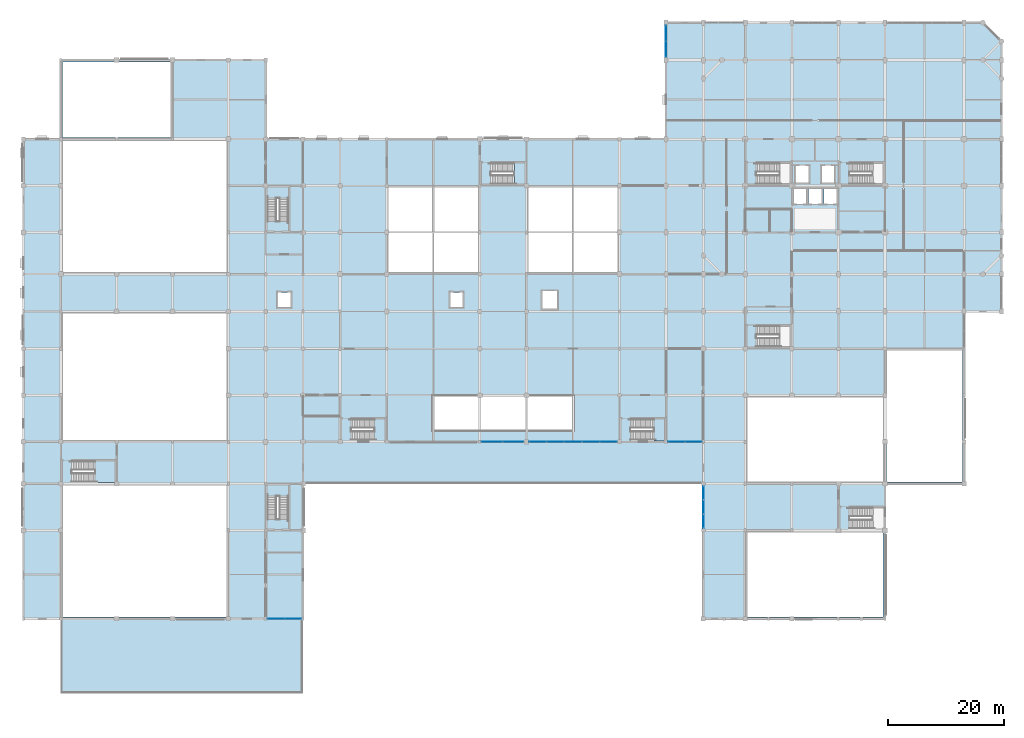
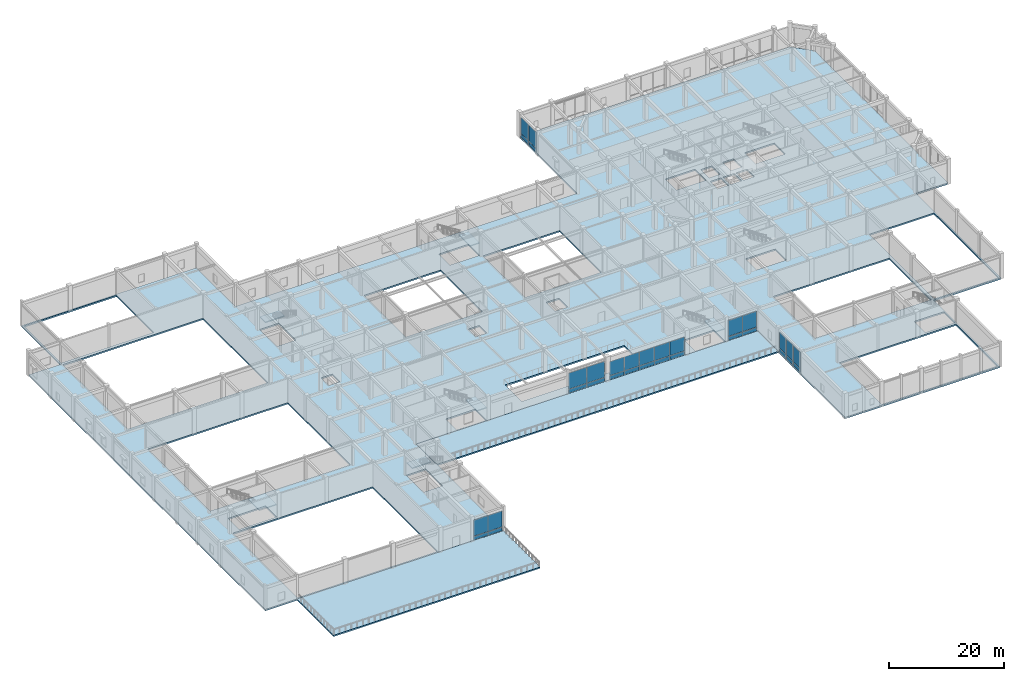
# One storey, part 19 of 36: 32 plates, 9 slabs, 12 elements without a shape of their own.
"""IFC4 building model written with IfcOpenShell, lengths in metres."""

import ifcopenshell
import ifcopenshell.guid

model = None  # the IFC model being written
_history = None  # IfcOwnerHistory: only IFC2X3 demands one
_inside = {}  # id of a spatial element -> (the spatial element, [elements in it])
_under = {}  # id of a project, library or spatial element -> (it, [spatial elements below it])
_declared = {}  # id of a project -> (the project, [libraries it declares])
_typed = {}  # id of a type object -> (the type object, [elements of that type])
_made_of = {}  # id of a material, layer set ... -> (it, [elements and type objects made of it])


def new_model(schema):
    """Start an empty IFC model of exactly this schema.

    Asked for "IFC4X3", IfcOpenShell would pick the latest addendum, in which some entities
    have other attributes; the version numbers below select the first issue.
    IFC2X3 requires an IfcOwnerHistory on every rooted entity: one is made here for all.
    """
    global model, _history
    if schema == "IFC4X3":
        model = ifcopenshell.file(schema_version=(4, 3, 0, 0))
    else:
        model = ifcopenshell.file(schema=schema)
    _inside.clear()
    _under.clear()
    _declared.clear()
    _typed.clear()
    _made_of.clear()
    _history = None
    if model.schema == "IFC2X3":
        org = make("IfcOrganization", Name="unknown")
        user = make(
            "IfcPersonAndOrganization",
            ThePerson=make("IfcPerson", FamilyName="unknown"),
            TheOrganization=org,
        )
        app = make(
            "IfcApplication",
            ApplicationDeveloper=org,
            Version="unknown",
            ApplicationFullName="unknown",
            ApplicationIdentifier="unknown",
        )
        _history = make(
            "IfcOwnerHistory",
            OwningUser=user,
            OwningApplication=app,
            ChangeAction="ADDED",
            CreationDate=0,
        )
    return model


def make(cls, **values):
    """One entity of the class cls with the attributes given. An attribute that is None is left unset."""
    return model.create_entity(
        cls, **{name: value for name, value in values.items() if value is not None}
    )


def rooted(cls, **values):
    """An entity with a GlobalId (a new one), such as an element, a storey or a relation."""
    return make(cls, GlobalId=ifcopenshell.guid.new(), OwnerHistory=_history, **values)


def si_unit(unit_type, name, prefix=None):
    """IfcSIUnit, for example si_unit("LENGTHUNIT", "METRE", prefix="MILLI")."""
    return make("IfcSIUnit", UnitType=unit_type, Prefix=prefix, Name=name)


def assignment(units):
    """IfcUnitAssignment: the units of a project."""
    return None if units is None else make("IfcUnitAssignment", Units=units)


def point(xyz):
    """IfcCartesianPoint."""
    return None if xyz is None else make("IfcCartesianPoint", Coordinates=xyz)


def direction(xyz):
    """IfcDirection."""
    return None if xyz is None else make("IfcDirection", DirectionRatios=xyz)


def frame(location, z_axis=None, x_axis=None):
    """IfcAxis2Placement3D, a coordinate frame: its origin and axes. An axis left out is left unset."""
    return make(
        "IfcAxis2Placement3D",
        Location=point(location),
        Axis=direction(z_axis),
        RefDirection=direction(x_axis),
    )


def frame_2d(location, x_axis=None):
    """IfcAxis2Placement2D, a coordinate frame in the plane: its origin and x axis."""
    return make(
        "IfcAxis2Placement2D", Location=point(location), RefDirection=direction(x_axis)
    )


def origin():
    """The frame at (0, 0, 0) with its axes left unset."""
    return frame((0.0, 0.0, 0.0))


def origin_2d():
    """The frame at (0, 0) in the plane with its x axis left unset."""
    return frame_2d((0.0, 0.0))


def place(relative_to, where):
    """IfcLocalPlacement: puts the frame where relative to a parent placement (None: the world)."""
    return make(
        "IfcLocalPlacement", PlacementRelTo=relative_to, RelativePlacement=where
    )


def context(
    kind, dimensions, precision=None, world=None, true_north=None, identifier=None
):
    """IfcGeometricRepresentationContext, for example the 3D "Model" context."""
    return make(
        "IfcGeometricRepresentationContext",
        ContextIdentifier=identifier,
        ContextType=kind,
        CoordinateSpaceDimension=dimensions,
        Precision=precision,
        WorldCoordinateSystem=world,
        TrueNorth=true_north,
    )


def subcontext(parent, identifier, kind, view, scale=None):
    """IfcGeometricRepresentationSubContext, for example "Body" below "Model"."""
    return make(
        "IfcGeometricRepresentationSubContext",
        ContextIdentifier=identifier,
        ContextType=kind,
        ParentContext=parent,
        TargetScale=scale,
        TargetView=view,
    )


def project(units=None, contexts=None):
    """IfcProject with its units and contexts."""
    return rooted(
        "IfcProject",
        Name="project",
        RepresentationContexts=contexts,
        UnitsInContext=assignment(units),
    )


def spatial(cls, under=None, at=None, **own):
    """A site, building, storey or space (cls), placed at a placement, below another one or the project."""
    s = rooted(cls, ObjectPlacement=at, **own)
    if under is not None:
        _under.setdefault(under.id(), (under, []))[1].append(s)
    return s


def polyline(points):
    """IfcPolyline through the points."""
    return make("IfcPolyline", Points=[point(p) for p in points])


def profile(cls, at=None, kind="AREA", **sizes):
    """A parametric profile (cls). Its sizes go by their IFC names, for example OverallWidth=200.0."""
    return make(cls, ProfileType=kind, Position=at, **sizes)


def rectangle(**sizes):
    """IfcRectangleProfileDef."""
    return profile("IfcRectangleProfileDef", **sizes)


def outline(outer, holes=None, kind="AREA"):
    """IfcArbitraryClosedProfileDef: a profile drawn as a closed curve; with holes, ...WithVoids."""
    if holes is None:
        return make("IfcArbitraryClosedProfileDef", ProfileType=kind, OuterCurve=outer)
    return make(
        "IfcArbitraryProfileDefWithVoids",
        ProfileType=kind,
        OuterCurve=outer,
        InnerCurves=holes,
    )


def extrude(swept, where, along, depth):
    """IfcExtrudedAreaSolid: the profile swept, set in the frame where, extruded along a direction by depth."""
    return make(
        "IfcExtrudedAreaSolid",
        SweptArea=swept,
        Position=where,
        ExtrudedDirection=direction(along),
        Depth=depth,
    )


def shape(context_of_items, identifier, shape_type, items):
    """IfcShapeRepresentation: the items that make up one representation, for example the "Body"."""
    return make(
        "IfcShapeRepresentation",
        ContextOfItems=context_of_items,
        RepresentationIdentifier=identifier,
        RepresentationType=shape_type,
        Items=items,
    )


def material(Name=None, Category=None):
    """IfcMaterial."""
    return make("IfcMaterial", Name=Name, Category=Category)


def layer(
    of_material, thickness, ventilated=None, Name=None, Category=None, Priority=None
):
    """IfcMaterialLayer: one layer of a wall or slab, of a material (None: an air gap)."""
    return make(
        "IfcMaterialLayer",
        Material=of_material,
        LayerThickness=thickness,
        IsVentilated=ventilated,
        Name=Name,
        Category=Category,
        Priority=Priority,
    )


def layer_set(layers, Name=None):
    """IfcMaterialLayerSet."""
    return make("IfcMaterialLayerSet", MaterialLayers=layers, LayerSetName=Name)


def made_of(thing, what):
    """Note that an element or type object is made of a material, layer set ...; save() writes the relation."""
    if what is not None:
        _made_of.setdefault(what.id(), (what, []))[1].append(thing)
    return thing


def type_object(cls, material=None, **own):
    """A type object (cls), such as IfcWallType, which elements share."""
    return made_of(rooted(cls, **own), material)


def element(
    cls,
    number,
    at=None,
    inside=None,
    cuts=None,
    type_object=None,
    material=None,
    context=None,
    identifier="Body",
    shape_type=None,
    held_by="IfcProductDefinitionShape",
    body=None,
    shapes=None,
    **own,
):
    """One element of the class cls, such as IfcWall. Its Tag is "e" and its number.

    at: its placement. inside: the storey or other place that contains it. cuts: it is an
    opening in that element (IfcRelVoidsElement). A single representation is given by context,
    identifier, shape_type and body (its items); several are given by shapes. held_by: the class
    of the entity that holds the representations. save() writes the other relations.
    """
    e = rooted(cls, Tag="e%d" % number, ObjectPlacement=at, **own)
    if body is not None:
        shapes = [shape(context, identifier, shape_type, body)]
    if shapes is not None:
        e.Representation = make(held_by, Representations=shapes)
    if inside is not None:
        _inside.setdefault(inside.id(), (inside, []))[1].append(e)
    if cuts is not None:
        rooted(
            "IfcRelVoidsElement", RelatingBuildingElement=cuts, RelatedOpeningElement=e
        )
    if type_object is not None:
        _typed.setdefault(type_object.id(), (type_object, []))[1].append(e)
    return made_of(e, material)


def aggregate(whole, parts):
    """IfcRelAggregates: a whole, such as a stair, and the parts it consists of."""
    return rooted("IfcRelAggregates", RelatingObject=whole, RelatedObjects=parts)


def save(model, path):
    """Write the relations noted so far, then the file.

    IfcRelAggregates (storeys below a building ...), IfcRelContainedInSpatialStructure (elements
    in a storey), IfcRelDefinesByType, IfcRelAssociatesMaterial and IfcRelDeclares: one each for
    every whole, place, type object, material and project.
    """
    for whole, parts in _under.values():
        aggregate(whole, parts)
    for where, things in _inside.values():
        rooted(
            "IfcRelContainedInSpatialStructure",
            RelatedElements=things,
            RelatingStructure=where,
        )
    for kind, things in _typed.values():
        rooted("IfcRelDefinesByType", RelatedObjects=things, RelatingType=kind)
    for what, things in _made_of.values():
        rooted("IfcRelAssociatesMaterial", RelatedObjects=things, RelatingMaterial=what)
    for by, libraries in _declared.values():
        rooted("IfcRelDeclares", RelatingContext=by, RelatedDefinitions=libraries)
    model.write(path)


model = new_model("IFC4")

# Units and contexts
model_context = context("Model", 3, precision=1e-05, world=origin(), true_north=direction((0.0, 1.0)))
body_context = subcontext(model_context, "Body", "Model", "MODEL_VIEW")
ifc_project = project(units=[si_unit("LENGTHUNIT", "METRE"), si_unit("AREAUNIT", "SQUARE_METRE"), si_unit("VOLUMEUNIT", "CUBIC_METRE"), si_unit("PLANEANGLEUNIT", "RADIAN"), si_unit("MASSUNIT", "GRAM", prefix="KILO")], contexts=[model_context])

# Site, building, storey
site_placement = place(None, origin())
site = spatial("IfcSite", under=ifc_project, at=site_placement, CompositionType="ELEMENT")
building_placement = place(site_placement, origin())
building = spatial("IfcBuilding", under=site, at=building_placement, Name="Vellmiral Cinema and Media Centre", CompositionType="ELEMENT")
storey_placement = place(building_placement, frame((0.0, 0.0, 5.39990234375)))
storey = spatial("IfcBuildingStorey", under=building, at=storey_placement, Name="L01", CompositionType="ELEMENT", Elevation=5.39990234375)

# Curtain wall, plates
ifc_material_1 = material(Name="Thermally Broken Aluminium and Triple Glazing", Category="aluminium")
curtain_wall_type_1 = type_object("IfcCurtainWallType", Name="CW-LIB-BAY", PredefinedType="USERDEFINED", material=ifc_material_1)
curtain_wall_1_placement = place(storey_placement, origin())
curtain_wall_1 = element("IfcCurtainWall", 1, at=curtain_wall_1_placement, inside=storey, type_object=curtain_wall_type_1, Name="Curtain Wall L01-B052", ObjectType="STICK CURTAIN WALL", PredefinedType="USERDEFINED")
ifc_material_2 = material(Name="Laminated Studio Acoustic Glazing", Category="glass")
ifc_layer_1 = layer(ifc_material_2, 0.0439453125, Name="Laminated Studio Acoustic Glazing")
ifc_layer_set_1 = layer_set([ifc_layer_1], Name="Laminated Studio Acoustic Glazing")
plate_type_1 = type_object("IfcPlateType", Name="CWP-ACOUST-44", PredefinedType="CURTAIN_PANEL", material=ifc_layer_set_1)
plate_1_placement = place(storey_placement, frame((110.39990234375, 113.344970703125, 0.93505859375), z_axis=(0.0, 0.0, 1.0), x_axis=(0.0, -1.0, 0.0)))
plate_1 = element("IfcPlate", 2, at=plate_1_placement, type_object=plate_type_1, Name="CW-03 panel 1.2", PredefinedType="CURTAIN_PANEL", context=body_context, shape_type="SweptSolid", body=[
    extrude(rectangle(XDim=2.6201171875, YDim=0.0439453125, at=origin_2d()), origin(), (0.0, 0.0, 1.0), 3.419921875),
])
plate_2_placement = place(storey_placement, frame((110.39990234375, 110.655029296875, 0.93505859375), z_axis=(0.0, 0.0, 1.0), x_axis=(0.0, -1.0, 0.0)))
plate_2 = element("IfcPlate", 3, at=plate_2_placement, type_object=plate_type_1, Name="CW-03 panel 2.2", PredefinedType="CURTAIN_PANEL", context=body_context, shape_type="SweptSolid", body=[
    extrude(rectangle(XDim=2.6201171875, YDim=0.0439453125, at=origin_2d()), origin(), (0.0, 0.0, 1.0), 3.419921875),
])
ifc_material_3 = material(Name="Honed Vosges Sandstone Spandrel Panel", Category="masonry")
ifc_layer_2 = layer(ifc_material_3, 0.06005859375, Name="Honed Vosges Sandstone Spandrel Panel")
ifc_layer_set_2 = layer_set([ifc_layer_2], Name="Honed Vosges Sandstone Spandrel Panel")
plate_type_2 = type_object("IfcPlateType", Name="CWP-SAND-60", PredefinedType="CURTAIN_PANEL", material=ifc_layer_set_2)
plate_3_placement = place(storey_placement, frame((110.39990234375, 113.344970703125, 0.070068359375), z_axis=(0.0, 0.0, 1.0), x_axis=(0.0, -1.0, 0.0)))
plate_3 = element("IfcPlate", 4, at=plate_3_placement, type_object=plate_type_2, Name="CW-03 panel 1.1", PredefinedType="CURTAIN_PANEL", context=body_context, shape_type="SweptSolid", body=[
    extrude(rectangle(XDim=2.6201171875, YDim=0.06005859375, at=origin_2d()), origin(), (0.0, 0.0, 1.0), 0.794921875),
])
plate_4_placement = place(storey_placement, frame((110.39990234375, 110.655029296875, 0.070068359375), z_axis=(0.0, 0.0, 1.0), x_axis=(0.0, -1.0, 0.0)))
plate_4 = element("IfcPlate", 5, at=plate_4_placement, type_object=plate_type_2, Name="CW-03 panel 2.1", PredefinedType="CURTAIN_PANEL", context=body_context, shape_type="SweptSolid", body=[
    extrude(rectangle(XDim=2.6201171875, YDim=0.06005859375, at=origin_2d()), origin(), (0.0, 0.0, 1.0), 0.794921875),
])
aggregate(curtain_wall_1, [plate_3, plate_1, plate_4, plate_2])

ifc_material_4 = material(Name="Thermally Broken Aluminium and Triple Glazing", Category="aluminium")
curtain_wall_type_2 = type_object("IfcCurtainWallType", Name="CW-POD-GALLERY", PredefinedType="USERDEFINED", material=ifc_material_4)
curtain_wall_2_placement = place(storey_placement, origin())
curtain_wall_2 = element("IfcCurtainWall", 6, at=curtain_wall_2_placement, inside=storey, type_object=curtain_wall_type_2, Name="Curtain Wall L01-B006", ObjectType="STICK CURTAIN WALL", PredefinedType="USERDEFINED")
ifc_material_5 = material(Name="Polychrome Trencadis Ceramic Spandrel Panel", Category="ceramic")
ifc_layer_3 = layer(ifc_material_5, 0.052001953125, Name="Polychrome Trencadis Ceramic Spandrel Panel")
ifc_layer_set_3 = layer_set([ifc_layer_3], Name="Polychrome Trencadis Ceramic Spandrel Panel")
plate_type_3 = type_object("IfcPlateType", Name="CWP-TRENC-52", PredefinedType="CURTAIN_PANEL", material=ifc_layer_set_3)
plate_5_placement = place(storey_placement, frame((43.4111328125, 12.800048828125, 0.070068359375), z_axis=(0.0, 0.0, 1.0), x_axis=(1.0, 0.0, 0.0)))
plate_5 = element("IfcPlate", 7, at=plate_5_placement, type_object=plate_type_3, Name="CW-04 panel 1.1", PredefinedType="CURTAIN_PANEL", context=body_context, shape_type="SweptSolid", body=[
    extrude(rectangle(XDim=2.83251953125, YDim=0.052001953125, at=origin_2d()), origin(), (0.0, 0.0, 1.0), 0.794921875),
])
plate_6_placement = place(storey_placement, frame((46.313720703125, 12.800048828125, 0.070068359375), z_axis=(0.0, 0.0, 1.0), x_axis=(1.0, 0.0, 0.0)))
plate_6 = element("IfcPlate", 8, at=plate_6_placement, type_object=plate_type_3, Name="CW-04 panel 2.1", PredefinedType="CURTAIN_PANEL", context=body_context, shape_type="SweptSolid", body=[
    extrude(rectangle(XDim=2.83251953125, YDim=0.052001953125, at=origin_2d()), origin(), (0.0, 0.0, 1.0), 0.794921875),
])

ifc_material_6 = material(Name="Thermally Broken Aluminium and Triple Glazing", Category="aluminium")
curtain_wall_type_3 = type_object("IfcCurtainWallType", Name="CW-FOYER-PROM", PredefinedType="USERDEFINED", material=ifc_material_6)
curtain_wall_3_placement = place(storey_placement, origin())
curtain_wall_3 = element("IfcCurtainWall", 9, at=curtain_wall_3_placement, inside=storey, type_object=curtain_wall_type_3, Name="Curtain Wall L01-B013", ObjectType="STICK CURTAIN WALL", PredefinedType="USERDEFINED")
plate_7_placement = place(storey_placement, frame((80.4638671875, 43.199951171875, 0.080078125), z_axis=(0.0, 0.0, 1.0), x_axis=(1.0, 0.0, 0.0)))
plate_7 = element("IfcPlate", 10, at=plate_7_placement, type_object=plate_type_3, Name="CW-02 panel 1.1", PredefinedType="CURTAIN_PANEL", context=body_context, shape_type="SweptSolid", body=[
    extrude(rectangle(XDim=3.5673828125, YDim=0.052001953125, at=origin_2d()), origin(), (0.0, 0.0, 1.0), 0.780029296875),
])
plate_8_placement = place(storey_placement, frame((84.111328125, 43.199951171875, 0.080078125), z_axis=(0.0, 0.0, 1.0), x_axis=(1.0, 0.0, 0.0)))
plate_8 = element("IfcPlate", 11, at=plate_8_placement, type_object=plate_type_3, Name="CW-02 panel 2.1", PredefinedType="CURTAIN_PANEL", context=body_context, shape_type="SweptSolid", body=[
    extrude(rectangle(XDim=3.5673828125, YDim=0.052001953125, at=origin_2d()), origin(), (0.0, 0.0, 1.0), 0.780029296875),
])

ifc_material_7 = material(Name="Thermally Broken Aluminium and Triple Glazing", Category="aluminium")
curtain_wall_type_4 = type_object("IfcCurtainWallType", Name="CW-FOYER-ARCH", PredefinedType="USERDEFINED", material=ifc_material_7)
curtain_wall_4_placement = place(storey_placement, origin())
curtain_wall_4 = element("IfcCurtainWall", 12, at=curtain_wall_4_placement, inside=storey, type_object=curtain_wall_type_4, Name="Curtain Wall L01-B014", ObjectType="STICK CURTAIN WALL", PredefinedType="USERDEFINED")
plate_9_placement = place(storey_placement, frame((88.364990234375, 43.199951171875, 0.080078125), z_axis=(0.0, 0.0, 1.0), x_axis=(1.0, 0.0, 0.0)))
plate_9 = element("IfcPlate", 13, at=plate_9_placement, type_object=plate_type_3, Name="CW-01 panel 1.1", PredefinedType="CURTAIN_PANEL", context=body_context, shape_type="SweptSolid", body=[
    extrude(rectangle(XDim=2.919921875, YDim=0.052001953125, at=origin_2d()), origin(), (0.0, 0.0, 1.0), 0.780029296875),
])
plate_10_placement = place(storey_placement, frame((91.385009765625, 43.199951171875, 0.080078125), z_axis=(0.0, 0.0, 1.0), x_axis=(1.0, 0.0, 0.0)))
plate_10 = element("IfcPlate", 14, at=plate_10_placement, type_object=plate_type_3, Name="CW-01 panel 2.1", PredefinedType="CURTAIN_PANEL", context=body_context, shape_type="SweptSolid", body=[
    extrude(rectangle(XDim=2.9599609375, YDim=0.052001953125, at=origin_2d()), origin(), (0.0, 0.0, 1.0), 0.780029296875),
])
plate_11_placement = place(storey_placement, frame((94.425048828125, 43.199951171875, 0.080078125), z_axis=(0.0, 0.0, 1.0), x_axis=(1.0, 0.0, 0.0)))
plate_11 = element("IfcPlate", 15, at=plate_11_placement, type_object=plate_type_3, Name="CW-01 panel 3.1", PredefinedType="CURTAIN_PANEL", context=body_context, shape_type="SweptSolid", body=[
    extrude(rectangle(XDim=2.9599609375, YDim=0.052001953125, at=origin_2d()), origin(), (0.0, 0.0, 1.0), 0.780029296875),
])
plate_12_placement = place(storey_placement, frame((97.465087890625, 43.199951171875, 0.080078125), z_axis=(0.0, 0.0, 1.0), x_axis=(1.0, 0.0, 0.0)))
plate_12 = element("IfcPlate", 16, at=plate_12_placement, type_object=plate_type_3, Name="CW-01 panel 4.1", PredefinedType="CURTAIN_PANEL", context=body_context, shape_type="SweptSolid", body=[
    extrude(rectangle(XDim=2.9599609375, YDim=0.052001953125, at=origin_2d()), origin(), (0.0, 0.0, 1.0), 0.780029296875),
])
plate_13_placement = place(storey_placement, frame((100.485107421875, 43.199951171875, 0.080078125), z_axis=(0.0, 0.0, 1.0), x_axis=(1.0, 0.0, 0.0)))
plate_13 = element("IfcPlate", 17, at=plate_13_placement, type_object=plate_type_3, Name="CW-01 panel 5.1", PredefinedType="CURTAIN_PANEL", context=body_context, shape_type="SweptSolid", body=[
    extrude(rectangle(XDim=2.919921875, YDim=0.052001953125, at=origin_2d()), origin(), (0.0, 0.0, 1.0), 0.780029296875),
])

curtain_wall_5_placement = place(storey_placement, origin())
curtain_wall_5 = element("IfcCurtainWall", 18, at=curtain_wall_5_placement, inside=storey, type_object=curtain_wall_type_2, Name="Curtain Wall L01-B016", ObjectType="STICK CURTAIN WALL", PredefinedType="USERDEFINED")
plate_14_placement = place(storey_placement, frame((112.211181640625, 43.199951171875, 0.070068359375), z_axis=(0.0, 0.0, 1.0), x_axis=(1.0, 0.0, 0.0)))
plate_14 = element("IfcPlate", 19, at=plate_14_placement, type_object=plate_type_3, Name="CW-04 panel 1.1", PredefinedType="CURTAIN_PANEL", context=body_context, shape_type="SweptSolid", body=[
    extrude(rectangle(XDim=2.83251953125, YDim=0.052001953125, at=origin_2d()), origin(), (0.0, 0.0, 1.0), 0.794921875),
])
plate_15_placement = place(storey_placement, frame((115.11376953125, 43.199951171875, 0.070068359375), z_axis=(0.0, 0.0, 1.0), x_axis=(1.0, 0.0, 0.0)))
plate_15 = element("IfcPlate", 20, at=plate_15_placement, type_object=plate_type_3, Name="CW-04 panel 2.1", PredefinedType="CURTAIN_PANEL", context=body_context, shape_type="SweptSolid", body=[
    extrude(rectangle(XDim=2.83251953125, YDim=0.052001953125, at=origin_2d()), origin(), (0.0, 0.0, 1.0), 0.794921875),
])

curtain_wall_6_placement = place(storey_placement, origin())
curtain_wall_6 = element("IfcCurtainWall", 21, at=curtain_wall_6_placement, inside=storey, type_object=curtain_wall_type_2, Name="Curtain Wall L01-B018", ObjectType="STICK CURTAIN WALL", PredefinedType="USERDEFINED")
plate_16_placement = place(storey_placement, frame((116.800048828125, 34.4326171875, 0.070068359375), z_axis=(0.0, 0.0, 1.0), x_axis=(0.0, -1.0, 0.0)))
plate_16 = element("IfcPlate", 22, at=plate_16_placement, type_object=plate_type_3, Name="CW-04 panel 1.1", PredefinedType="CURTAIN_PANEL", context=body_context, shape_type="SweptSolid", body=[
    extrude(rectangle(XDim=2.344970703125, YDim=0.052001953125, at=origin_2d()), origin(), (0.0, 0.0, 1.0), 0.794921875),
])
plate_17_placement = place(storey_placement, frame((116.800048828125, 32.0, 0.070068359375), z_axis=(0.0, 0.0, 1.0), x_axis=(0.0, -1.0, 0.0)))
plate_17 = element("IfcPlate", 23, at=plate_17_placement, type_object=plate_type_3, Name="CW-04 panel 2.1", PredefinedType="CURTAIN_PANEL", context=body_context, shape_type="SweptSolid", body=[
    extrude(rectangle(XDim=2.3798828125, YDim=0.052001953125, at=origin_2d()), origin(), (0.0, 0.0, 1.0), 0.794921875),
])
plate_18_placement = place(storey_placement, frame((116.800048828125, 29.5673828125, 0.070068359375), z_axis=(0.0, 0.0, 1.0), x_axis=(0.0, -1.0, 0.0)))
plate_18 = element("IfcPlate", 24, at=plate_18_placement, type_object=plate_type_3, Name="CW-04 panel 3.1", PredefinedType="CURTAIN_PANEL", context=body_context, shape_type="SweptSolid", body=[
    extrude(rectangle(XDim=2.344970703125, YDim=0.052001953125, at=origin_2d()), origin(), (0.0, 0.0, 1.0), 0.794921875),
])

# Plate
ifc_material_8 = material(Name="Triple Low-E Vision Glazing", Category="glass")
ifc_layer_4 = layer(ifc_material_8, 0.0380859375, Name="Triple Low-E Vision Glazing")
ifc_layer_set_4 = layer_set([ifc_layer_4], Name="Triple Low-E Vision Glazing")
plate_type_4 = type_object("IfcPlateType", Name="CWP-VISION-38", PredefinedType="CURTAIN_PANEL", material=ifc_layer_set_4)
plate_19_placement = place(storey_placement, frame((43.4111328125, 12.800048828125, 0.93505859375), z_axis=(0.0, 0.0, 1.0), x_axis=(1.0, 0.0, 0.0)))
plate_19 = element("IfcPlate", 25, at=plate_19_placement, type_object=plate_type_4, Name="CW-04 panel 1.2", PredefinedType="CURTAIN_PANEL", context=body_context, shape_type="SweptSolid", body=[
    extrude(rectangle(XDim=2.83251953125, YDim=0.0380859375, at=origin_2d()), origin(), (0.0, 0.0, 1.0), 3.43505859375),
])

plate_20_placement = place(storey_placement, frame((46.313720703125, 12.800048828125, 0.93505859375), z_axis=(0.0, 0.0, 1.0), x_axis=(1.0, 0.0, 0.0)))
plate_20 = element("IfcPlate", 26, at=plate_20_placement, type_object=plate_type_4, Name="CW-04 panel 2.2", PredefinedType="CURTAIN_PANEL", context=body_context, shape_type="SweptSolid", body=[
    extrude(rectangle(XDim=2.83251953125, YDim=0.0380859375, at=origin_2d()), origin(), (0.0, 0.0, 1.0), 3.43505859375),
])

aggregate(curtain_wall_2, [plate_5, plate_19, plate_6, plate_20])

plate_21_placement = place(storey_placement, frame((80.4638671875, 43.199951171875, 0.940185546875), z_axis=(0.0, 0.0, 1.0), x_axis=(1.0, 0.0, 0.0)))
plate_21 = element("IfcPlate", 27, at=plate_21_placement, type_object=plate_type_4, Name="CW-02 panel 1.2", PredefinedType="CURTAIN_PANEL", context=body_context, shape_type="SweptSolid", body=[
    extrude(rectangle(XDim=3.5673828125, YDim=0.0380859375, at=origin_2d()), origin(), (0.0, 0.0, 1.0), 3.419921875),
])

plate_22_placement = place(storey_placement, frame((84.111328125, 43.199951171875, 0.940185546875), z_axis=(0.0, 0.0, 1.0), x_axis=(1.0, 0.0, 0.0)))
plate_22 = element("IfcPlate", 28, at=plate_22_placement, type_object=plate_type_4, Name="CW-02 panel 2.2", PredefinedType="CURTAIN_PANEL", context=body_context, shape_type="SweptSolid", body=[
    extrude(rectangle(XDim=3.5673828125, YDim=0.0380859375, at=origin_2d()), origin(), (0.0, 0.0, 1.0), 3.419921875),
])

aggregate(curtain_wall_3, [plate_7, plate_21, plate_8, plate_22])

plate_23_placement = place(storey_placement, frame((88.364990234375, 43.199951171875, 0.93994140625), z_axis=(0.0, 0.0, 1.0), x_axis=(1.0, 0.0, 0.0)))
plate_23 = element("IfcPlate", 29, at=plate_23_placement, type_object=plate_type_4, Name="CW-01 panel 1.2", PredefinedType="CURTAIN_PANEL", context=body_context, shape_type="SweptSolid", body=[
    extrude(rectangle(XDim=2.919921875, YDim=0.0380859375, at=origin_2d()), origin(), (0.0, 0.0, 1.0), 2.955078125),
])

plate_24_placement = place(storey_placement, frame((91.385009765625, 43.199951171875, 0.93994140625), z_axis=(0.0, 0.0, 1.0), x_axis=(1.0, 0.0, 0.0)))
plate_24 = element("IfcPlate", 30, at=plate_24_placement, type_object=plate_type_4, Name="CW-01 panel 2.2", PredefinedType="CURTAIN_PANEL", context=body_context, shape_type="SweptSolid", body=[
    extrude(rectangle(XDim=2.9599609375, YDim=0.0380859375, at=origin_2d()), origin(), (0.0, 0.0, 1.0), 2.955078125),
])

plate_25_placement = place(storey_placement, frame((94.425048828125, 43.199951171875, 0.93994140625), z_axis=(0.0, 0.0, 1.0), x_axis=(1.0, 0.0, 0.0)))
plate_25 = element("IfcPlate", 31, at=plate_25_placement, type_object=plate_type_4, Name="CW-01 panel 3.2", PredefinedType="CURTAIN_PANEL", context=body_context, shape_type="SweptSolid", body=[
    extrude(rectangle(XDim=2.9599609375, YDim=0.0380859375, at=origin_2d()), origin(), (0.0, 0.0, 1.0), 2.955078125),
])

plate_26_placement = place(storey_placement, frame((97.465087890625, 43.199951171875, 0.93994140625), z_axis=(0.0, 0.0, 1.0), x_axis=(1.0, 0.0, 0.0)))
plate_26 = element("IfcPlate", 32, at=plate_26_placement, type_object=plate_type_4, Name="CW-01 panel 4.2", PredefinedType="CURTAIN_PANEL", context=body_context, shape_type="SweptSolid", body=[
    extrude(rectangle(XDim=2.9599609375, YDim=0.0380859375, at=origin_2d()), origin(), (0.0, 0.0, 1.0), 2.955078125),
])

plate_27_placement = place(storey_placement, frame((100.485107421875, 43.199951171875, 0.93994140625), z_axis=(0.0, 0.0, 1.0), x_axis=(1.0, 0.0, 0.0)))
plate_27 = element("IfcPlate", 33, at=plate_27_placement, type_object=plate_type_4, Name="CW-01 panel 5.2", PredefinedType="CURTAIN_PANEL", context=body_context, shape_type="SweptSolid", body=[
    extrude(rectangle(XDim=2.919921875, YDim=0.0380859375, at=origin_2d()), origin(), (0.0, 0.0, 1.0), 2.955078125),
])

aggregate(curtain_wall_4, [plate_9, plate_23, plate_10, plate_24, plate_11, plate_25, plate_12, plate_26, plate_13, plate_27])

plate_28_placement = place(storey_placement, frame((112.211181640625, 43.199951171875, 0.93505859375), z_axis=(0.0, 0.0, 1.0), x_axis=(1.0, 0.0, 0.0)))
plate_28 = element("IfcPlate", 34, at=plate_28_placement, type_object=plate_type_4, Name="CW-04 panel 1.2", PredefinedType="CURTAIN_PANEL", context=body_context, shape_type="SweptSolid", body=[
    extrude(rectangle(XDim=2.83251953125, YDim=0.0380859375, at=origin_2d()), origin(), (0.0, 0.0, 1.0), 3.43505859375),
])

plate_29_placement = place(storey_placement, frame((115.11376953125, 43.199951171875, 0.93505859375), z_axis=(0.0, 0.0, 1.0), x_axis=(1.0, 0.0, 0.0)))
plate_29 = element("IfcPlate", 35, at=plate_29_placement, type_object=plate_type_4, Name="CW-04 panel 2.2", PredefinedType="CURTAIN_PANEL", context=body_context, shape_type="SweptSolid", body=[
    extrude(rectangle(XDim=2.83251953125, YDim=0.0380859375, at=origin_2d()), origin(), (0.0, 0.0, 1.0), 3.43505859375),
])

aggregate(curtain_wall_5, [plate_14, plate_28, plate_15, plate_29])

plate_30_placement = place(storey_placement, frame((116.800048828125, 34.4326171875, 0.93505859375), z_axis=(0.0, 0.0, 1.0), x_axis=(0.0, -1.0, 0.0)))
plate_30 = element("IfcPlate", 36, at=plate_30_placement, type_object=plate_type_4, Name="CW-04 panel 1.2", PredefinedType="CURTAIN_PANEL", context=body_context, shape_type="SweptSolid", body=[
    extrude(rectangle(XDim=2.344970703125, YDim=0.0380859375, at=origin_2d()), origin(), (0.0, 0.0, 1.0), 3.43505859375),
])

plate_31_placement = place(storey_placement, frame((116.800048828125, 32.0, 0.93505859375), z_axis=(0.0, 0.0, 1.0), x_axis=(0.0, -1.0, 0.0)))
plate_31 = element("IfcPlate", 37, at=plate_31_placement, type_object=plate_type_4, Name="CW-04 panel 2.2", PredefinedType="CURTAIN_PANEL", context=body_context, shape_type="SweptSolid", body=[
    extrude(rectangle(XDim=2.3798828125, YDim=0.0380859375, at=origin_2d()), origin(), (0.0, 0.0, 1.0), 3.43505859375),
])

plate_32_placement = place(storey_placement, frame((116.800048828125, 29.5673828125, 0.93505859375), z_axis=(0.0, 0.0, 1.0), x_axis=(0.0, -1.0, 0.0)))
plate_32 = element("IfcPlate", 38, at=plate_32_placement, type_object=plate_type_4, Name="CW-04 panel 3.2", PredefinedType="CURTAIN_PANEL", context=body_context, shape_type="SweptSolid", body=[
    extrude(rectangle(XDim=2.344970703125, YDim=0.0380859375, at=origin_2d()), origin(), (0.0, 0.0, 1.0), 3.43505859375),
])

aggregate(curtain_wall_6, [plate_16, plate_30, plate_17, plate_31, plate_18, plate_32])

# Slab
ifc_material_9 = material(Name="Concrete C40/50", Category="concrete")
ifc_layer_5 = layer(ifc_material_9, 0.320068359375, Name="Concrete C40/50")
ifc_layer_set_5 = layer_set([ifc_layer_5], Name="Concrete C40/50")
slab_type_1 = type_object("IfcSlabType", Name="SLB-FLR-320", PredefinedType="FLOOR", material=ifc_layer_set_5)
slab_1_placement = place(storey_placement, frame((0.0, 0.0, -0.31982421875)))
element("IfcSlab", 39, at=slab_1_placement, inside=storey, type_object=slab_type_1, Name="L01 Structural Slab", PredefinedType="FLOOR", context=body_context, shape_type="SweptSolid", body=[
    extrude(outline(polyline([(0.0, 12.800048828125), (48.0, 12.800048828125), (48.0, 43.199951171875), (116.800048828125, 43.199951171875), (116.800048828125, 12.800048828125), (148.0, 12.800048828125), (148.0, 36.0), (161.60009765625, 36.0), (161.60009765625, 65.60009765625), (168.0, 65.60009765625), (168.0, 112.0), (164.800048828125, 115.199951171875), (110.39990234375, 115.199951171875), (110.39990234375, 95.199951171875), (41.60009765625, 95.199951171875), (41.60009765625, 108.800048828125), (6.39990234375, 108.800048828125), (6.39990234375, 95.199951171875), (0.0, 95.199951171875), (0.0, 12.800048828125)]), holes=[polyline([(41.780029296875, 29.85009765625), (45.6201171875, 29.85009765625), (45.6201171875, 35.820068359375), (41.780029296875, 35.820068359375), (41.780029296875, 29.85009765625)]), polyline([(41.780029296875, 81.050048828125), (45.6201171875, 81.050048828125), (45.6201171875, 87.02001953125), (41.780029296875, 87.02001953125), (41.780029296875, 81.050048828125)]), polyline([(56.25, 43.3798828125), (62.219970703125, 43.3798828125), (62.219970703125, 47.219970703125), (56.25, 47.219970703125), (56.25, 43.3798828125)]), polyline([(104.25, 43.3798828125), (110.219970703125, 43.3798828125), (110.219970703125, 47.219970703125), (104.25, 47.219970703125), (104.25, 43.3798828125)]), polyline([(80.25, 87.3798828125), (86.219970703125, 87.3798828125), (86.219970703125, 91.219970703125), (80.25, 91.219970703125), (80.25, 87.3798828125)]), polyline([(125.85009765625, 59.3798828125), (131.820068359375, 59.3798828125), (131.820068359375, 63.219970703125), (125.85009765625, 63.219970703125), (125.85009765625, 59.3798828125)]), polyline([(8.25, 36.179931640625), (15.820068359375, 36.179931640625), (15.820068359375, 40.02001953125), (8.25, 40.02001953125), (8.25, 36.179931640625)]), polyline([(141.85009765625, 28.179931640625), (147.820068359375, 28.179931640625), (147.820068359375, 32.02001953125), (141.85009765625, 32.02001953125), (141.85009765625, 28.179931640625)]), polyline([(125.85009765625, 87.3798828125), (131.820068359375, 87.3798828125), (131.820068359375, 91.219970703125), (125.85009765625, 91.219970703125), (125.85009765625, 87.3798828125)]), polyline([(141.85009765625, 87.3798828125), (147.820068359375, 87.3798828125), (147.820068359375, 91.219970703125), (141.85009765625, 91.219970703125), (141.85009765625, 87.3798828125)]), polyline([(132.699951171875, 87.75), (134.89990234375, 87.75), (134.89990234375, 90.64990234375), (132.699951171875, 90.64990234375), (132.699951171875, 87.75)]), polyline([(137.10009765625, 87.75), (139.300048828125, 87.75), (139.300048828125, 90.64990234375), (137.10009765625, 90.64990234375), (137.10009765625, 87.75)]), polyline([(132.300048828125, 84.10009765625), (134.5, 84.10009765625), (134.5, 86.699951171875), (132.300048828125, 86.699951171875), (132.300048828125, 84.10009765625)]), polyline([(134.89990234375, 84.10009765625), (137.10009765625, 84.10009765625), (137.10009765625, 86.699951171875), (134.89990234375, 86.699951171875), (134.89990234375, 84.10009765625)]), polyline([(137.5, 84.10009765625), (139.699951171875, 84.10009765625), (139.699951171875, 86.699951171875), (137.5, 86.699951171875), (137.5, 84.10009765625)]), polyline([(43.699951171875, 66.300048828125), (45.89990234375, 66.300048828125), (45.89990234375, 68.89990234375), (43.699951171875, 68.89990234375), (43.699951171875, 66.300048828125)]), polyline([(73.300048828125, 66.300048828125), (75.5, 66.300048828125), (75.5, 68.89990234375), (73.300048828125, 68.89990234375), (73.300048828125, 66.300048828125)]), polyline([(89.10009765625, 66.050048828125), (91.699951171875, 66.050048828125), (91.699951171875, 69.14990234375), (89.10009765625, 69.14990234375), (89.10009765625, 66.050048828125)]), polyline([(6.699951171875, 13.10009765625), (34.89990234375, 13.10009765625), (34.89990234375, 35.699951171875), (6.699951171875, 35.699951171875), (6.699951171875, 13.10009765625)]), polyline([(6.699951171875, 43.5), (34.89990234375, 43.5), (34.89990234375, 65.300048828125), (6.699951171875, 65.300048828125), (6.699951171875, 43.5)]), polyline([(6.699951171875, 72.300048828125), (34.89990234375, 72.300048828125), (34.89990234375, 94.89990234375), (6.699951171875, 94.89990234375), (6.699951171875, 72.300048828125)]), polyline([(6.699951171875, 95.5), (25.300048828125, 95.5), (25.300048828125, 108.5), (6.699951171875, 108.5), (6.699951171875, 95.5)]), polyline([(124.300048828125, 13.10009765625), (147.699951171875, 13.10009765625), (147.699951171875, 27.699951171875), (124.300048828125, 27.699951171875), (124.300048828125, 13.10009765625)]), polyline([(124.300048828125, 36.300048828125), (147.699951171875, 36.300048828125), (147.699951171875, 50.89990234375), (124.300048828125, 50.89990234375), (124.300048828125, 36.300048828125)]), polyline([(148.300048828125, 36.300048828125), (161.300048828125, 36.300048828125), (161.300048828125, 58.89990234375), (148.300048828125, 58.89990234375), (148.300048828125, 36.300048828125)]), polyline([(62.699951171875, 72.300048828125), (78.10009765625, 72.300048828125), (78.10009765625, 86.89990234375), (62.699951171875, 86.89990234375), (62.699951171875, 72.300048828125)]), polyline([(86.699951171875, 72.300048828125), (102.10009765625, 72.300048828125), (102.10009765625, 86.89990234375), (86.699951171875, 86.89990234375), (86.699951171875, 72.300048828125)]), polyline([(70.39990234375, 45.199951171875), (94.39990234375, 45.199951171875), (94.39990234375, 51.0), (70.39990234375, 51.0), (70.39990234375, 45.199951171875)])]), origin(), (0.0, 0.0, 1.0), 0.31982421875),
])

# Stair, slab
ifc_material_10 = material(Name="Concrete C40/50", Category="concrete")
stair_type = type_object("IfcStairType", Name="ST-2RET-540", PredefinedType="HALF_TURN_STAIR", material=ifc_material_10)
stair_1_placement = place(storey_placement, origin())
stair_1 = element("IfcStair", 40, at=stair_1_placement, inside=storey, type_object=stair_type, Name="Protected Escape Stair ST-P1 (L01)", PredefinedType="HALF_TURN_STAIR")
ifc_material_11 = material(Name="Concrete C40/50", Category="concrete")
ifc_layer_6 = layer(ifc_material_11, 0.219970703125, Name="Concrete C40/50")
ifc_layer_set_6 = layer_set([ifc_layer_6], Name="Concrete C40/50")
slab_type_2 = type_object("IfcSlabType", Name="SLB-LAND-220", PredefinedType="LANDING", material=ifc_layer_set_6)
slab_2_placement = place(storey_placement, frame((0.0, 0.0, 2.47998046875)))
slab_2 = element("IfcSlab", 41, at=slab_2_placement, type_object=slab_type_2, Name="ST-P1 landing 1", PredefinedType="LANDING", context=body_context, shape_type="SweptSolid", body=[
    extrude(outline(polyline([(41.780029296875, 33.909912109375), (45.6201171875, 33.909912109375), (45.6201171875, 35.820068359375), (41.780029296875, 35.820068359375), (41.780029296875, 33.909912109375)])), origin(), (0.0, 0.0, 1.0), 0.22021484375),
])
aggregate(stair_1, [slab_2])

stair_2_placement = place(storey_placement, origin())
stair_2 = element("IfcStair", 42, at=stair_2_placement, inside=storey, type_object=stair_type, Name="Protected Escape Stair ST-P2 (L01)", PredefinedType="HALF_TURN_STAIR")
slab_3_placement = place(storey_placement, frame((0.0, 0.0, 2.47998046875)))
slab_3 = element("IfcSlab", 43, at=slab_3_placement, type_object=slab_type_2, Name="ST-P2 landing 1", PredefinedType="LANDING", context=body_context, shape_type="SweptSolid", body=[
    extrude(outline(polyline([(41.780029296875, 85.110107421875), (45.6201171875, 85.110107421875), (45.6201171875, 87.02001953125), (41.780029296875, 87.02001953125), (41.780029296875, 85.110107421875)])), origin(), (0.0, 0.0, 1.0), 0.22021484375),
])
aggregate(stair_2, [slab_3])

stair_3_placement = place(storey_placement, origin())
stair_3 = element("IfcStair", 44, at=stair_3_placement, inside=storey, type_object=stair_type, Name="Protected Escape Stair ST-P3 (L01)", PredefinedType="HALF_TURN_STAIR")
slab_4_placement = place(storey_placement, frame((0.0, 0.0, 2.47998046875)))
slab_4 = element("IfcSlab", 45, at=slab_4_placement, type_object=slab_type_2, Name="ST-P3 landing 1", PredefinedType="LANDING", context=body_context, shape_type="SweptSolid", body=[
    extrude(outline(polyline([(60.31005859375, 43.3798828125), (62.219970703125, 43.3798828125), (62.219970703125, 47.219970703125), (60.31005859375, 47.219970703125), (60.31005859375, 43.3798828125)])), origin(), (0.0, 0.0, 1.0), 0.22021484375),
])
aggregate(stair_3, [slab_4])

stair_4_placement = place(storey_placement, origin())
stair_4 = element("IfcStair", 46, at=stair_4_placement, inside=storey, type_object=stair_type, Name="Protected Escape Stair ST-P4 (L01)", PredefinedType="HALF_TURN_STAIR")
slab_5_placement = place(storey_placement, frame((0.0, 0.0, 2.47998046875)))
slab_5 = element("IfcSlab", 47, at=slab_5_placement, type_object=slab_type_2, Name="ST-P4 landing 1", PredefinedType="LANDING", context=body_context, shape_type="SweptSolid", body=[
    extrude(outline(polyline([(108.31005859375, 43.3798828125), (110.219970703125, 43.3798828125), (110.219970703125, 47.219970703125), (108.31005859375, 47.219970703125), (108.31005859375, 43.3798828125)])), origin(), (0.0, 0.0, 1.0), 0.22021484375),
])
aggregate(stair_4, [slab_5])

stair_5_placement = place(storey_placement, origin())
stair_5 = element("IfcStair", 48, at=stair_5_placement, inside=storey, type_object=stair_type, Name="Protected Escape Stair ST-P5 (L01)", PredefinedType="HALF_TURN_STAIR")
slab_6_placement = place(storey_placement, frame((0.0, 0.0, 2.47998046875)))
slab_6 = element("IfcSlab", 49, at=slab_6_placement, type_object=slab_type_2, Name="ST-P5 landing 1", PredefinedType="LANDING", context=body_context, shape_type="SweptSolid", body=[
    extrude(outline(polyline([(84.31005859375, 87.3798828125), (86.219970703125, 87.3798828125), (86.219970703125, 91.219970703125), (84.31005859375, 91.219970703125), (84.31005859375, 87.3798828125)])), origin(), (0.0, 0.0, 1.0), 0.22021484375),
])
aggregate(stair_5, [slab_6])

stair_6_placement = place(storey_placement, origin())
stair_6 = element("IfcStair", 50, at=stair_6_placement, inside=storey, type_object=stair_type, Name="Protected Escape Stair ST-P7 (L01)", PredefinedType="HALF_TURN_STAIR")
slab_7_placement = place(storey_placement, frame((0.0, 0.0, 2.47998046875)))
slab_7 = element("IfcSlab", 51, at=slab_7_placement, type_object=slab_type_2, Name="ST-P7 landing 1", PredefinedType="LANDING", context=body_context, shape_type="SweptSolid", body=[
    extrude(outline(polyline([(12.31005859375, 36.179931640625), (15.820068359375, 36.179931640625), (15.820068359375, 40.02001953125), (12.31005859375, 40.02001953125), (12.31005859375, 36.179931640625)])), origin(), (0.0, 0.0, 1.0), 0.22021484375),
])
aggregate(stair_6, [slab_7])

# Slabs
ifc_material_12 = material(Name="Concrete C40/50", Category="concrete")
ifc_layer_7 = layer(ifc_material_12, 0.2900390625, Name="Concrete C40/50")
ifc_layer_set_7 = layer_set([ifc_layer_7], Name="Concrete C40/50")
slab_type_3 = type_object("IfcSlabType", Name="SLB-TERR-290", PredefinedType="FLOOR", material=ifc_layer_set_7)
slab_8_placement = place(storey_placement, frame((0.0, 0.0, -0.289794921875)))
element("IfcSlab", 52, at=slab_8_placement, inside=storey, type_object=slab_type_3, Name="Promenade West Colonnade Terrace", PredefinedType="FLOOR", context=body_context, shape_type="SweptSolid", body=[
    extrude(outline(polyline([(6.39990234375, 0.0), (48.0, 0.0), (48.0, 12.800048828125), (6.39990234375, 12.800048828125), (6.39990234375, 0.0)])), origin(), (0.0, 0.0, 1.0), 0.289794921875),
])
slab_9_placement = place(storey_placement, frame((0.0, 0.0, -0.289794921875)))
element("IfcSlab", 53, at=slab_9_placement, inside=storey, type_object=slab_type_3, Name="Upper Foyer Courtyard Gallery Terrace", PredefinedType="FLOOR", context=body_context, shape_type="SweptSolid", body=[
    extrude(outline(polyline([(48.0, 36.0), (116.800048828125, 36.0), (116.800048828125, 43.199951171875), (48.0, 43.199951171875), (48.0, 36.0)])), origin(), (0.0, 0.0, 1.0), 0.289794921875),
])

save(model, "model.ifc")
